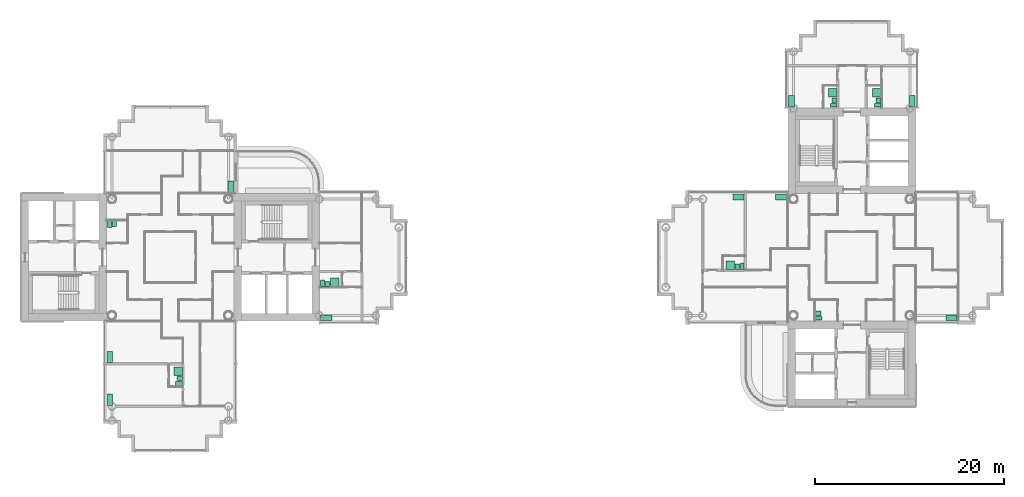
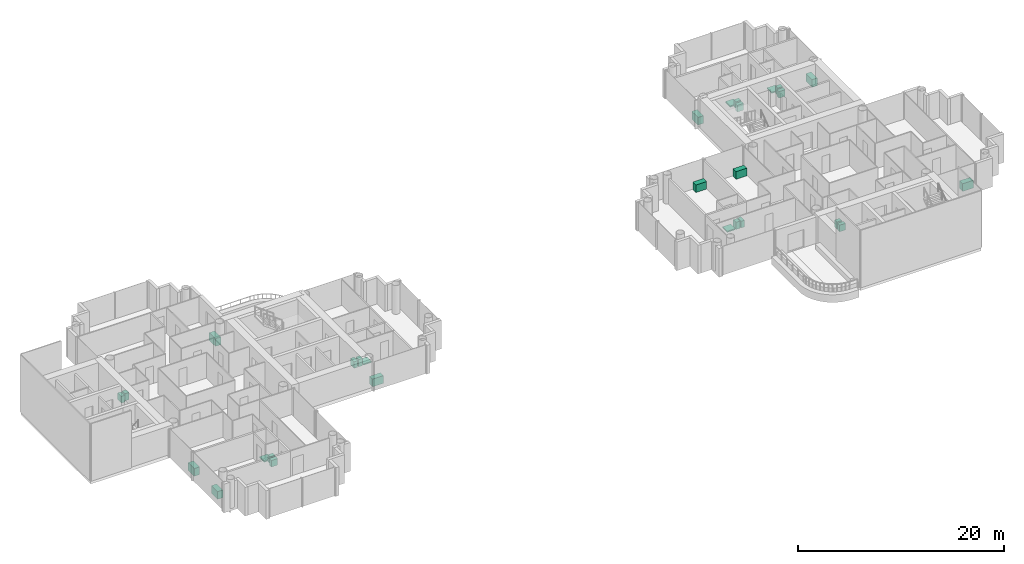
# One storey, part 19 of 19: 28 sanitary terminals.
"""IFC4 building model written with IfcOpenShell, lengths in metres."""

from ifc_helpers import new_model, si_unit, direction, frame, origin, origin_2d, place, context, subcontext, project, spatial, rectangle, extrude, material, type_object, element, save


model = new_model("IFC4")

# Units and contexts
model_context = context("Model", 3, precision=1e-05, world=origin(), true_north=direction((0.0, 1.0)))
body_context = subcontext(model_context, "Body", "Model", "MODEL_VIEW")
ifc_project = project(units=[si_unit("LENGTHUNIT", "METRE"), si_unit("AREAUNIT", "SQUARE_METRE"), si_unit("VOLUMEUNIT", "CUBIC_METRE"), si_unit("PLANEANGLEUNIT", "RADIAN"), si_unit("MASSUNIT", "GRAM", prefix="KILO")], contexts=[model_context])

# Site, building, storey
site_placement = place(None, origin())
site = spatial("IfcSite", under=ifc_project, at=site_placement, CompositionType="ELEMENT")
building_placement = place(site_placement, origin())
building = spatial("IfcBuilding", under=site, at=building_placement, Name="Ipe Terrace Towers", CompositionType="ELEMENT")
storey_placement = place(building_placement, frame((0.0, 0.0, 174.5)))
storey = spatial("IfcBuildingStorey", under=building, at=storey_placement, Name="L48", CompositionType="ELEMENT", Elevation=174.5)

# Sanitary terminals
ifc_material_1 = material(Name="Stainless sink unit", Category="metal")
sanitary_terminal_type_1 = type_object("IfcSanitaryTerminalType", Name="Kitchen sink unit", PredefinedType="SINK", material=ifc_material_1)
for number, where, z_axis, x_axis, name in (
    (1, (-29.6201171875, 7.469970703125, 0.0), (0.0, 0.0, 1.0), (0.0, -1.0, 0.0), "Kitchen sink unit"),
    (2, (-42.3798828125, -10.530029296875, 0.0), (0.0, 0.0, 1.0), (0.0, 1.0, 0.0), "Kitchen sink unit"),
    (3, (-42.3798828125, -15.030029296875, 0.0), (0.0, 0.0, 1.0), (0.0, 1.0, 0.0), "Kitchen sink unit"),
    (4, (-19.530029296875, -6.3798828125, 0.0), (0.0, 0.0, 1.0), (-1.0, 0.0, 0.0), "Kitchen sink unit"),
    (5, (28.530029296875, 6.3798828125, 0.0), (0.0, 0.0, 1.0), (1.0, 0.0, 0.0), "Kitchen sink unit"),
    (6, (24.030029296875, 6.3798828125, 0.0), (0.0, 0.0, 1.0), (1.0, 0.0, 0.0), "Kitchen sink unit"),
    (7, (46.530029296875, -6.3798828125, 0.0), (0.0, 0.0, 1.0), (-1.0, 0.0, 0.0), "Kitchen sink unit"),
    (8, (29.6201171875, 16.469970703125, 0.0), (0.0, 0.0, 1.0), (0.0, 1.0, 0.0), "Kitchen sink unit"),
    (9, (42.3798828125, 16.469970703125, 0.0), (0.0, 0.0, 1.0), (0.0, -1.0, 0.0), "Kitchen sink unit"),
):
    element("IfcSanitaryTerminal", number, at=place(storey_placement, frame(where, z_axis=z_axis, x_axis=x_axis)), inside=storey, type_object=sanitary_terminal_type_1, Name=name, PredefinedType="SINK", context=body_context, shape_type="SweptSolid", body=[
        extrude(rectangle(XDim=1.199951171875, YDim=0.60009765625, at=origin_2d()), origin(), (0.0, 0.0, 1.0), 0.89990234375),
    ])
ifc_material_2 = material(Name="Acrylic", Category="plastic")
sanitary_terminal_type_2 = type_object("IfcSanitaryTerminalType", Name="Shower tray", PredefinedType="SHOWER", material=ifc_material_2)
for number, where, z_axis, x_axis, name in (
    (10, (-35.169921875, -12.030029296875, 0.0), (0.0, 0.0, 1.0), (-1.0, 0.0, 0.0), "Shower tray"),
    (11, (-18.6298828125, -2.6298828125, 0.0), (0.0, 0.0, 1.0), (0.0, 1.0, 0.0), "Shower tray"),
    (12, (23.1298828125, -0.830078125, 0.0), (0.0, 0.0, 1.0), (0.0, 1.0, 0.0), "Shower tray"),
    (13, (33.97998046875, 17.3701171875, 0.0), (0.0, 0.0, 1.0), (-1.0, 0.0, 0.0), "Shower tray"),
    (14, (38.6298828125, 17.3701171875, 0.0), (0.0, 0.0, 1.0), (-1.0, 0.0, 0.0), "Shower tray"),
):
    element("IfcSanitaryTerminal", number, at=place(storey_placement, frame(where, z_axis=z_axis, x_axis=x_axis)), inside=storey, type_object=sanitary_terminal_type_2, Name=name, PredefinedType="SHOWER", context=body_context, shape_type="SweptSolid", body=[
        extrude(rectangle(XDim=0.89990234375, YDim=0.89990234375, at=origin_2d()), origin(), (0.0, 0.0, 1.0), 0.14990234375),
    ])
ifc_material_3 = material(Name="Vitreous china", Category="ceramic")
sanitary_terminal_type_3 = type_object("IfcSanitaryTerminalType", Name="Wash basin", PredefinedType="WASHHANDBASIN", material=ifc_material_3)
for number, where, z_axis, x_axis, name in (
    (15, (-41.905029296875, 3.554931640625, 0.0), (0.0, 0.0, 1.0), (0.0, -1.0, 0.0), "Wash basin"),
    (16, (-34.9951171875, -12.804931640625, 0.0), (0.0, 0.0, 1.0), (-1.0, 0.0, 0.0), "Wash basin"),
    (17, (-19.405029296875, -2.804931640625, 0.0), (0.0, 0.0, 1.0), (0.0, 1.0, 0.0), "Wash basin"),
    (18, (32.445068359375, -5.905029296875, 0.0), (0.0, 0.0, 1.0), (1.0, 0.0, 0.0), "Wash basin"),
    (19, (23.905029296875, -1.0048828125, 0.0), (0.0, 0.0, 1.0), (0.0, 1.0, 0.0), "Wash basin"),
    (20, (34.155029296875, 16.594970703125, 0.0), (0.0, 0.0, 1.0), (-1.0, 0.0, 0.0), "Wash basin"),
    (21, (38.804931640625, 16.594970703125, 0.0), (0.0, 0.0, 1.0), (-1.0, 0.0, 0.0), "Wash basin"),
):
    element("IfcSanitaryTerminal", number, at=place(storey_placement, frame(where, z_axis=z_axis, x_axis=x_axis)), inside=storey, type_object=sanitary_terminal_type_3, Name=name, PredefinedType="WASHHANDBASIN", context=body_context, shape_type="SweptSolid", body=[
        extrude(rectangle(XDim=0.550048828125, YDim=0.449951171875, at=origin_2d()), origin(), (0.0, 0.0, 1.0), 0.85009765625),
    ])
ifc_material_4 = material(Name="Vitreous china", Category="ceramic")
sanitary_terminal_type_4 = type_object("IfcSanitaryTerminalType", Name="Water closet", PredefinedType="TOILETPAN", material=ifc_material_4)
for number, where, z_axis, x_axis, name in (
    (22, (-42.429931640625, 3.47998046875, 0.0), (0.0, 0.0, 1.0), (0.0, -1.0, 0.0), "Water closet"),
    (23, (-35.070068359375, -13.330078125, 0.0), (0.0, 0.0, 1.0), (-1.0, 0.0, 0.0), "Water closet"),
    (24, (-19.929931640625, -2.72998046875, 0.0), (0.0, 0.0, 1.0), (0.0, 1.0, 0.0), "Water closet"),
    (25, (32.52001953125, -6.429931640625, 0.0), (0.0, 0.0, 1.0), (1.0, 0.0, 0.0), "Water closet"),
    (26, (24.429931640625, -0.929931640625, 0.0), (0.0, 0.0, 1.0), (0.0, 1.0, 0.0), "Water closet"),
    (27, (34.080078125, 16.070068359375, 0.0), (0.0, 0.0, 1.0), (-1.0, 0.0, 0.0), "Water closet"),
    (28, (38.72998046875, 16.070068359375, 0.0), (0.0, 0.0, 1.0), (-1.0, 0.0, 0.0), "Water closet"),
):
    element("IfcSanitaryTerminal", number, at=place(storey_placement, frame(where, z_axis=z_axis, x_axis=x_axis)), inside=storey, type_object=sanitary_terminal_type_4, Name=name, PredefinedType="TOILETPAN", context=body_context, shape_type="SweptSolid", body=[
        extrude(rectangle(XDim=0.699951171875, YDim=0.39990234375, at=origin_2d()), origin(), (0.0, 0.0, 1.0), 0.780029296875),
    ])

save(model, "model.ifc")
